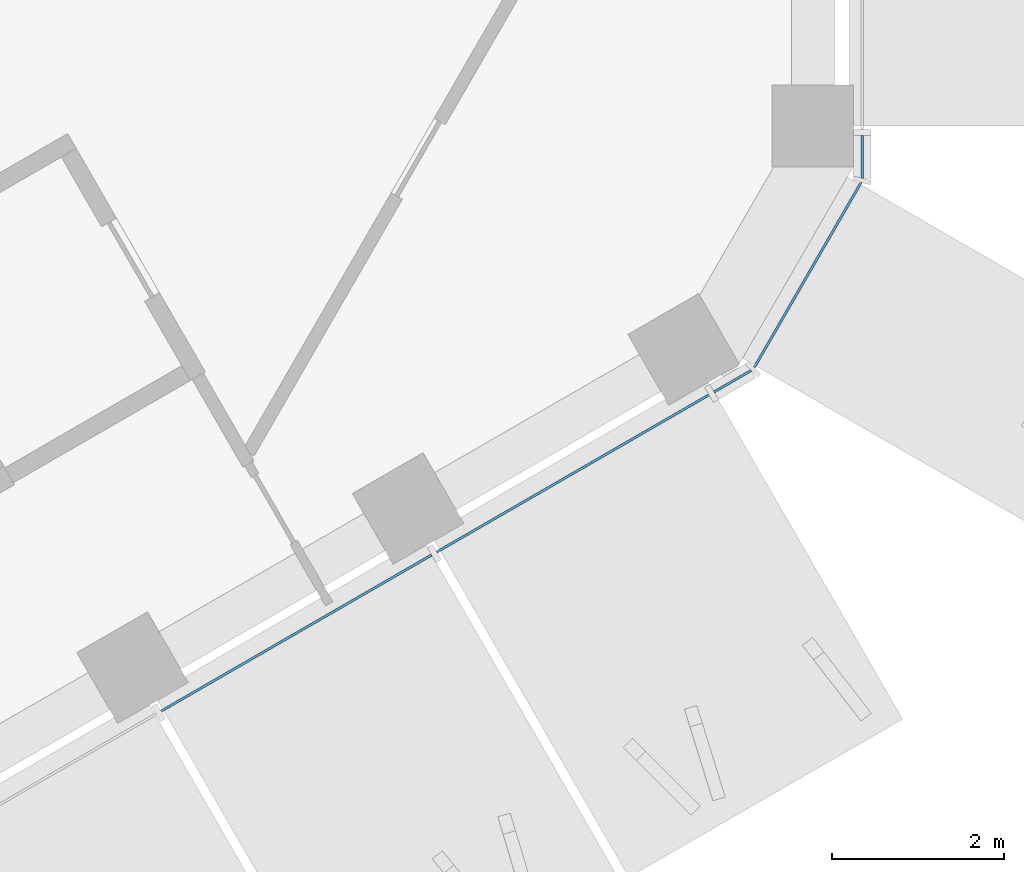
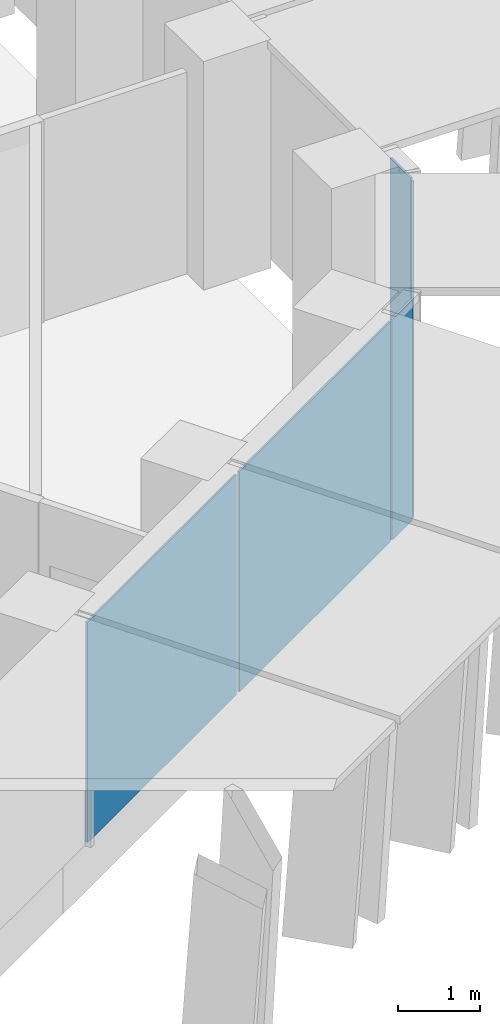
# One storey, part 8 of 23: 5 plates, 2 elements without a shape of their own.
"""IFC4 building model written with IfcOpenShell, lengths in metres."""

import ifcopenshell
import ifcopenshell.guid

model = None  # the IFC model being written
_history = None  # IfcOwnerHistory: only IFC2X3 demands one
_inside = {}  # id of a spatial element -> (the spatial element, [elements in it])
_under = {}  # id of a project, library or spatial element -> (it, [spatial elements below it])
_declared = {}  # id of a project -> (the project, [libraries it declares])
_typed = {}  # id of a type object -> (the type object, [elements of that type])
_made_of = {}  # id of a material, layer set ... -> (it, [elements and type objects made of it])


def new_model(schema):
    """Start an empty IFC model of exactly this schema.

    Asked for "IFC4X3", IfcOpenShell would pick the latest addendum, in which some entities
    have other attributes; the version numbers below select the first issue.
    IFC2X3 requires an IfcOwnerHistory on every rooted entity: one is made here for all.
    """
    global model, _history
    if schema == "IFC4X3":
        model = ifcopenshell.file(schema_version=(4, 3, 0, 0))
    else:
        model = ifcopenshell.file(schema=schema)
    _inside.clear()
    _under.clear()
    _declared.clear()
    _typed.clear()
    _made_of.clear()
    _history = None
    if model.schema == "IFC2X3":
        org = make("IfcOrganization", Name="unknown")
        user = make(
            "IfcPersonAndOrganization",
            ThePerson=make("IfcPerson", FamilyName="unknown"),
            TheOrganization=org,
        )
        app = make(
            "IfcApplication",
            ApplicationDeveloper=org,
            Version="unknown",
            ApplicationFullName="unknown",
            ApplicationIdentifier="unknown",
        )
        _history = make(
            "IfcOwnerHistory",
            OwningUser=user,
            OwningApplication=app,
            ChangeAction="ADDED",
            CreationDate=0,
        )
    return model


def make(cls, **values):
    """One entity of the class cls with the attributes given. An attribute that is None is left unset."""
    return model.create_entity(
        cls, **{name: value for name, value in values.items() if value is not None}
    )


def rooted(cls, **values):
    """An entity with a GlobalId (a new one), such as an element, a storey or a relation."""
    return make(cls, GlobalId=ifcopenshell.guid.new(), OwnerHistory=_history, **values)


def si_unit(unit_type, name, prefix=None):
    """IfcSIUnit, for example si_unit("LENGTHUNIT", "METRE", prefix="MILLI")."""
    return make("IfcSIUnit", UnitType=unit_type, Prefix=prefix, Name=name)


def assignment(units):
    """IfcUnitAssignment: the units of a project."""
    return None if units is None else make("IfcUnitAssignment", Units=units)


def point(xyz):
    """IfcCartesianPoint."""
    return None if xyz is None else make("IfcCartesianPoint", Coordinates=xyz)


def direction(xyz):
    """IfcDirection."""
    return None if xyz is None else make("IfcDirection", DirectionRatios=xyz)


def frame(location, z_axis=None, x_axis=None):
    """IfcAxis2Placement3D, a coordinate frame: its origin and axes. An axis left out is left unset."""
    return make(
        "IfcAxis2Placement3D",
        Location=point(location),
        Axis=direction(z_axis),
        RefDirection=direction(x_axis),
    )


def frame_2d(location, x_axis=None):
    """IfcAxis2Placement2D, a coordinate frame in the plane: its origin and x axis."""
    return make(
        "IfcAxis2Placement2D", Location=point(location), RefDirection=direction(x_axis)
    )


def origin():
    """The frame at (0, 0, 0) with its axes left unset."""
    return frame((0.0, 0.0, 0.0))


def origin_2d():
    """The frame at (0, 0) in the plane with its x axis left unset."""
    return frame_2d((0.0, 0.0))


def place(relative_to, where):
    """IfcLocalPlacement: puts the frame where relative to a parent placement (None: the world)."""
    return make(
        "IfcLocalPlacement", PlacementRelTo=relative_to, RelativePlacement=where
    )


def context(
    kind, dimensions, precision=None, world=None, true_north=None, identifier=None
):
    """IfcGeometricRepresentationContext, for example the 3D "Model" context."""
    return make(
        "IfcGeometricRepresentationContext",
        ContextIdentifier=identifier,
        ContextType=kind,
        CoordinateSpaceDimension=dimensions,
        Precision=precision,
        WorldCoordinateSystem=world,
        TrueNorth=true_north,
    )


def subcontext(parent, identifier, kind, view, scale=None):
    """IfcGeometricRepresentationSubContext, for example "Body" below "Model"."""
    return make(
        "IfcGeometricRepresentationSubContext",
        ContextIdentifier=identifier,
        ContextType=kind,
        ParentContext=parent,
        TargetScale=scale,
        TargetView=view,
    )


def project(units=None, contexts=None):
    """IfcProject with its units and contexts."""
    return rooted(
        "IfcProject",
        Name="project",
        RepresentationContexts=contexts,
        UnitsInContext=assignment(units),
    )


def spatial(cls, under=None, at=None, **own):
    """A site, building, storey or space (cls), placed at a placement, below another one or the project."""
    s = rooted(cls, ObjectPlacement=at, **own)
    if under is not None:
        _under.setdefault(under.id(), (under, []))[1].append(s)
    return s


def profile(cls, at=None, kind="AREA", **sizes):
    """A parametric profile (cls). Its sizes go by their IFC names, for example OverallWidth=200.0."""
    return make(cls, ProfileType=kind, Position=at, **sizes)


def rectangle(**sizes):
    """IfcRectangleProfileDef."""
    return profile("IfcRectangleProfileDef", **sizes)


def extrude(swept, where, along, depth):
    """IfcExtrudedAreaSolid: the profile swept, set in the frame where, extruded along a direction by depth."""
    return make(
        "IfcExtrudedAreaSolid",
        SweptArea=swept,
        Position=where,
        ExtrudedDirection=direction(along),
        Depth=depth,
    )


def shape(context_of_items, identifier, shape_type, items):
    """IfcShapeRepresentation: the items that make up one representation, for example the "Body"."""
    return make(
        "IfcShapeRepresentation",
        ContextOfItems=context_of_items,
        RepresentationIdentifier=identifier,
        RepresentationType=shape_type,
        Items=items,
    )


def material(Name=None, Category=None):
    """IfcMaterial."""
    return make("IfcMaterial", Name=Name, Category=Category)


def layer(
    of_material, thickness, ventilated=None, Name=None, Category=None, Priority=None
):
    """IfcMaterialLayer: one layer of a wall or slab, of a material (None: an air gap)."""
    return make(
        "IfcMaterialLayer",
        Material=of_material,
        LayerThickness=thickness,
        IsVentilated=ventilated,
        Name=Name,
        Category=Category,
        Priority=Priority,
    )


def layer_set(layers, Name=None):
    """IfcMaterialLayerSet."""
    return make("IfcMaterialLayerSet", MaterialLayers=layers, LayerSetName=Name)


def made_of(thing, what):
    """Note that an element or type object is made of a material, layer set ...; save() writes the relation."""
    if what is not None:
        _made_of.setdefault(what.id(), (what, []))[1].append(thing)
    return thing


def type_object(cls, material=None, **own):
    """A type object (cls), such as IfcWallType, which elements share."""
    return made_of(rooted(cls, **own), material)


def element(
    cls,
    number,
    at=None,
    inside=None,
    cuts=None,
    type_object=None,
    material=None,
    context=None,
    identifier="Body",
    shape_type=None,
    held_by="IfcProductDefinitionShape",
    body=None,
    shapes=None,
    **own,
):
    """One element of the class cls, such as IfcWall. Its Tag is "e" and its number.

    at: its placement. inside: the storey or other place that contains it. cuts: it is an
    opening in that element (IfcRelVoidsElement). A single representation is given by context,
    identifier, shape_type and body (its items); several are given by shapes. held_by: the class
    of the entity that holds the representations. save() writes the other relations.
    """
    e = rooted(cls, Tag="e%d" % number, ObjectPlacement=at, **own)
    if body is not None:
        shapes = [shape(context, identifier, shape_type, body)]
    if shapes is not None:
        e.Representation = make(held_by, Representations=shapes)
    if inside is not None:
        _inside.setdefault(inside.id(), (inside, []))[1].append(e)
    if cuts is not None:
        rooted(
            "IfcRelVoidsElement", RelatingBuildingElement=cuts, RelatedOpeningElement=e
        )
    if type_object is not None:
        _typed.setdefault(type_object.id(), (type_object, []))[1].append(e)
    return made_of(e, material)


def aggregate(whole, parts):
    """IfcRelAggregates: a whole, such as a stair, and the parts it consists of."""
    return rooted("IfcRelAggregates", RelatingObject=whole, RelatedObjects=parts)


def save(model, path):
    """Write the relations noted so far, then the file.

    IfcRelAggregates (storeys below a building ...), IfcRelContainedInSpatialStructure (elements
    in a storey), IfcRelDefinesByType, IfcRelAssociatesMaterial and IfcRelDeclares: one each for
    every whole, place, type object, material and project.
    """
    for whole, parts in _under.values():
        aggregate(whole, parts)
    for where, things in _inside.values():
        rooted(
            "IfcRelContainedInSpatialStructure",
            RelatedElements=things,
            RelatingStructure=where,
        )
    for kind, things in _typed.values():
        rooted("IfcRelDefinesByType", RelatedObjects=things, RelatingType=kind)
    for what, things in _made_of.values():
        rooted("IfcRelAssociatesMaterial", RelatedObjects=things, RelatingMaterial=what)
    for by, libraries in _declared.values():
        rooted("IfcRelDeclares", RelatingContext=by, RelatedDefinitions=libraries)
    model.write(path)


model = new_model("IFC4")

# Units and contexts
model_context = context("Model", 3, precision=1e-05, world=origin(), true_north=direction((0.0, 1.0)))
body_context = subcontext(model_context, "Body", "Model", "MODEL_VIEW")
ifc_project = project(units=[si_unit("LENGTHUNIT", "METRE"), si_unit("AREAUNIT", "SQUARE_METRE"), si_unit("VOLUMEUNIT", "CUBIC_METRE"), si_unit("PLANEANGLEUNIT", "RADIAN"), si_unit("MASSUNIT", "GRAM", prefix="KILO")], contexts=[model_context])

# Site, building, storey
site_placement = place(None, origin())
site = spatial("IfcSite", under=ifc_project, at=site_placement, CompositionType="ELEMENT")
building_placement = place(site_placement, origin())
building = spatial("IfcBuilding", under=site, at=building_placement, Name="Ayvan Gate Tower", CompositionType="ELEMENT")
storey_placement = place(building_placement, frame((0.0, 0.0, 198.699951171875)))
storey = spatial("IfcBuildingStorey", under=building, at=storey_placement, Name="L53", CompositionType="ELEMENT", Elevation=198.699951171875)

# Curtain wall, plates
ifc_material_1 = material(Name="Bronze anodised aluminium", Category="aluminium")
ifc_layer_1 = layer(ifc_material_1, 0.199951171875)
ifc_layer_set_1 = layer_set([ifc_layer_1], Name="Bronze anodised aluminium")
curtain_wall_type_1 = type_object("IfcCurtainWallType", Name="Stick curtain wall CW-2", PredefinedType="NOTDEFINED", material=ifc_layer_set_1)
curtain_wall_1_placement = place(storey_placement, origin())
curtain_wall_1 = element("IfcCurtainWall", 1, at=curtain_wall_1_placement, inside=storey, type_object=curtain_wall_type_1, Name="Stick curtain wall CW-2 L53", PredefinedType="NOTDEFINED")
ifc_material_2 = material(Name="Clear low-iron laminated glass", Category="glass")
ifc_layer_2 = layer(ifc_material_2, 0.028076171875)
ifc_layer_set_2 = layer_set([ifc_layer_2], Name="Clear low-iron laminated glass")
plate_type_1 = type_object("IfcPlateType", Name="Stick curtain wall CW-2 glass panel", PredefinedType="CURTAIN_PANEL", material=ifc_layer_set_2)
plate_1_placement = place(storey_placement, frame((12.182861328125, -13.702880859375, 0.0), z_axis=(0.0, 0.0, 1.0), x_axis=(0.866025403784, 0.5, 0.0)))
plate_1 = element("IfcPlate", 2, at=plate_1_placement, type_object=plate_type_1, Name="CW-2 glass panel 4", PredefinedType="CURTAIN_PANEL", context=body_context, shape_type="SweptSolid", body=[
    extrude(rectangle(XDim=3.62890625, YDim=0.028076171875, at=origin_2d()), origin(), (0.0, 0.0, 1.0), 3.280029296875),
])
plate_2_placement = place(storey_placement, frame((15.412109375, -11.838623046875, 0.0), z_axis=(0.0, 0.0, 1.0), x_axis=(0.866025403784, 0.5, 0.0)))
plate_2 = element("IfcPlate", 3, at=plate_2_placement, type_object=plate_type_1, Name="CW-2 glass panel 5", PredefinedType="CURTAIN_PANEL", context=body_context, shape_type="SweptSolid", body=[
    extrude(rectangle(XDim=3.6884765625, YDim=0.028076171875, at=origin_2d()), origin(), (0.0, 0.0, 1.0), 3.280029296875),
])
aggregate(curtain_wall_1, [plate_1, plate_2])

ifc_layer_3 = layer(ifc_material_1, 0.199951171875)
ifc_layer_set_3 = layer_set([ifc_layer_3], Name="Bronze anodised aluminium")
curtain_wall_type_2 = type_object("IfcCurtainWallType", Name="Stick curtain wall CW-6", PredefinedType="NOTDEFINED", material=ifc_layer_set_3)
curtain_wall_2_placement = place(storey_placement, origin())
curtain_wall_2 = element("IfcCurtainWall", 4, at=curtain_wall_2_placement, inside=storey, type_object=curtain_wall_type_2, Name="Stick curtain wall CW-6 L53", PredefinedType="NOTDEFINED")
ifc_layer_4 = layer(ifc_material_2, 0.028076171875)
ifc_layer_set_4 = layer_set([ifc_layer_4], Name="Clear low-iron laminated glass")
plate_type_2 = type_object("IfcPlateType", Name="Stick curtain wall CW-6 glass panel", PredefinedType="CURTAIN_PANEL", material=ifc_layer_set_4)
plate_3_placement = place(storey_placement, frame((17.256103515625, -10.77392578125, 0.0), z_axis=(0.0, 0.0, 1.0), x_axis=(0.866025403784, 0.5, 0.0)))
plate_3 = element("IfcPlate", 5, at=plate_3_placement, type_object=plate_type_2, Name="CW-6 glass panel 1", PredefinedType="CURTAIN_PANEL", context=body_context, shape_type="SweptSolid", body=[
    extrude(rectangle(XDim=0.5, YDim=0.028076171875, at=origin_2d()), origin(), (0.0, 0.0, 1.0), 3.280029296875),
])
plate_4_placement = place(storey_placement, frame((18.1279296875, -9.5390625, 0.0), z_axis=(0.0, 0.0, 1.0), x_axis=(0.5, 0.866025403784, 0.0)))
plate_4 = element("IfcPlate", 6, at=plate_4_placement, type_object=plate_type_2, Name="CW-6 glass panel 2", PredefinedType="CURTAIN_PANEL", context=body_context, shape_type="SweptSolid", body=[
    extrude(rectangle(XDim=2.484619140625, YDim=0.028076171875, at=origin_2d()), origin(), (0.0, 0.0, 1.0), 3.280029296875),
])
plate_5_placement = place(storey_placement, frame((18.761474609375, -8.16650390625, 0.0), z_axis=(0.0, 0.0, 1.0), x_axis=(0.0, 1.0, 0.0)))
plate_5 = element("IfcPlate", 7, at=plate_5_placement, type_object=plate_type_2, Name="CW-6 glass panel 3", PredefinedType="CURTAIN_PANEL", context=body_context, shape_type="SweptSolid", body=[
    extrude(rectangle(XDim=0.5, YDim=0.028076171875, at=origin_2d()), origin(), (0.0, 0.0, 1.0), 3.280029296875),
])
aggregate(curtain_wall_2, [plate_3, plate_4, plate_5])

save(model, "model.ifc")
